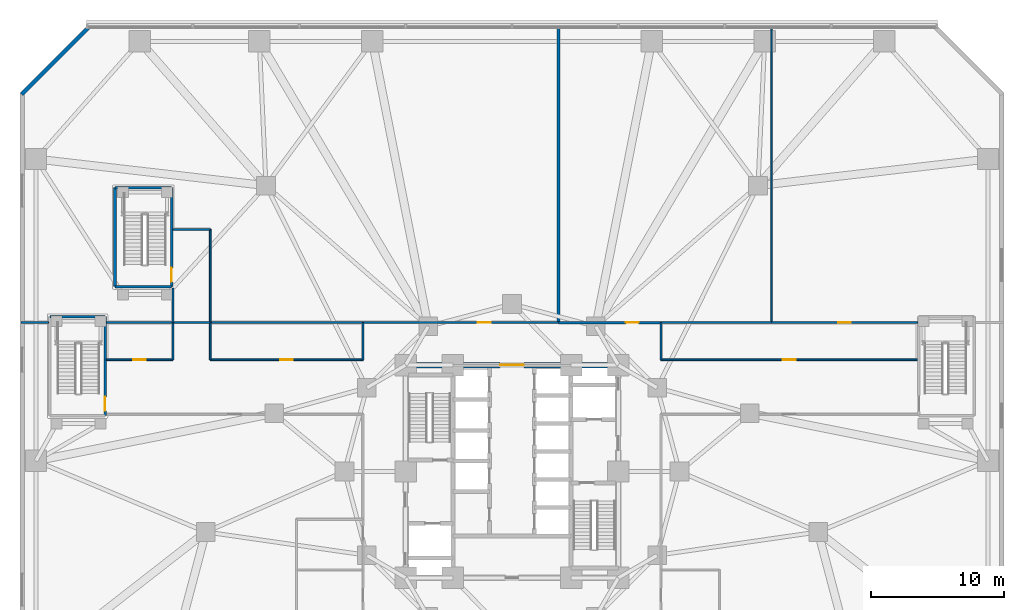
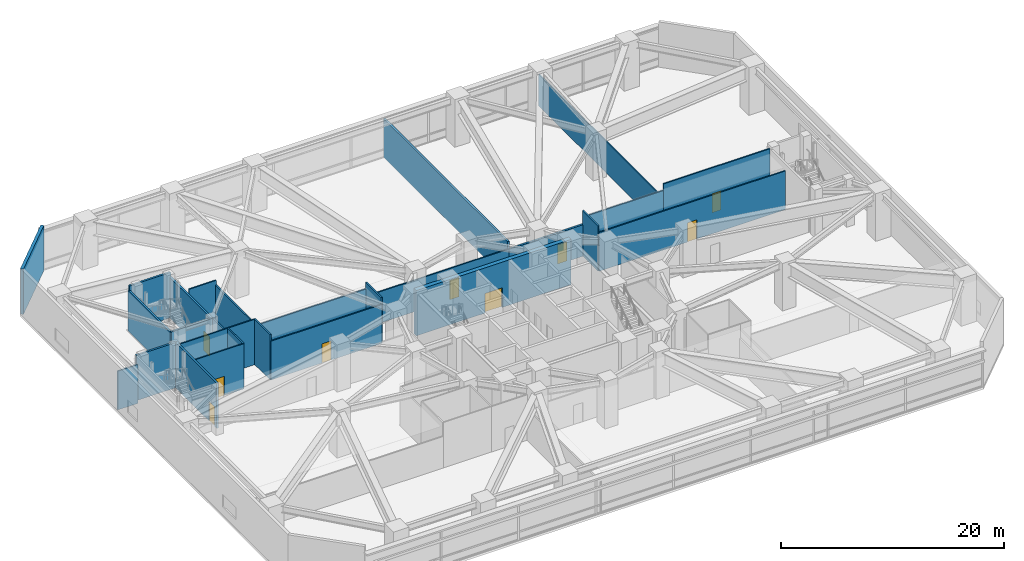
# One storey, part 17 of 27: 28 walls, 9 doors, 9 openings.
"""IFC4 building model written with IfcOpenShell, lengths in metres."""

import ifcopenshell
import ifcopenshell.guid

model = None  # the IFC model being written
_history = None  # IfcOwnerHistory: only IFC2X3 demands one
_inside = {}  # id of a spatial element -> (the spatial element, [elements in it])
_under = {}  # id of a project, library or spatial element -> (it, [spatial elements below it])
_declared = {}  # id of a project -> (the project, [libraries it declares])
_typed = {}  # id of a type object -> (the type object, [elements of that type])
_made_of = {}  # id of a material, layer set ... -> (it, [elements and type objects made of it])


def new_model(schema):
    """Start an empty IFC model of exactly this schema.

    Asked for "IFC4X3", IfcOpenShell would pick the latest addendum, in which some entities
    have other attributes; the version numbers below select the first issue.
    IFC2X3 requires an IfcOwnerHistory on every rooted entity: one is made here for all.
    """
    global model, _history
    if schema == "IFC4X3":
        model = ifcopenshell.file(schema_version=(4, 3, 0, 0))
    else:
        model = ifcopenshell.file(schema=schema)
    _inside.clear()
    _under.clear()
    _declared.clear()
    _typed.clear()
    _made_of.clear()
    _history = None
    if model.schema == "IFC2X3":
        org = make("IfcOrganization", Name="unknown")
        user = make(
            "IfcPersonAndOrganization",
            ThePerson=make("IfcPerson", FamilyName="unknown"),
            TheOrganization=org,
        )
        app = make(
            "IfcApplication",
            ApplicationDeveloper=org,
            Version="unknown",
            ApplicationFullName="unknown",
            ApplicationIdentifier="unknown",
        )
        _history = make(
            "IfcOwnerHistory",
            OwningUser=user,
            OwningApplication=app,
            ChangeAction="ADDED",
            CreationDate=0,
        )
    return model


def make(cls, **values):
    """One entity of the class cls with the attributes given. An attribute that is None is left unset."""
    return model.create_entity(
        cls, **{name: value for name, value in values.items() if value is not None}
    )


def rooted(cls, **values):
    """An entity with a GlobalId (a new one), such as an element, a storey or a relation."""
    return make(cls, GlobalId=ifcopenshell.guid.new(), OwnerHistory=_history, **values)


def si_unit(unit_type, name, prefix=None):
    """IfcSIUnit, for example si_unit("LENGTHUNIT", "METRE", prefix="MILLI")."""
    return make("IfcSIUnit", UnitType=unit_type, Prefix=prefix, Name=name)


def assignment(units):
    """IfcUnitAssignment: the units of a project."""
    return None if units is None else make("IfcUnitAssignment", Units=units)


def point(xyz):
    """IfcCartesianPoint."""
    return None if xyz is None else make("IfcCartesianPoint", Coordinates=xyz)


def direction(xyz):
    """IfcDirection."""
    return None if xyz is None else make("IfcDirection", DirectionRatios=xyz)


def frame(location, z_axis=None, x_axis=None):
    """IfcAxis2Placement3D, a coordinate frame: its origin and axes. An axis left out is left unset."""
    return make(
        "IfcAxis2Placement3D",
        Location=point(location),
        Axis=direction(z_axis),
        RefDirection=direction(x_axis),
    )


def frame_2d(location, x_axis=None):
    """IfcAxis2Placement2D, a coordinate frame in the plane: its origin and x axis."""
    return make(
        "IfcAxis2Placement2D", Location=point(location), RefDirection=direction(x_axis)
    )


def origin():
    """The frame at (0, 0, 0) with its axes left unset."""
    return frame((0.0, 0.0, 0.0))


def place(relative_to, where):
    """IfcLocalPlacement: puts the frame where relative to a parent placement (None: the world)."""
    return make(
        "IfcLocalPlacement", PlacementRelTo=relative_to, RelativePlacement=where
    )


def context(
    kind, dimensions, precision=None, world=None, true_north=None, identifier=None
):
    """IfcGeometricRepresentationContext, for example the 3D "Model" context."""
    return make(
        "IfcGeometricRepresentationContext",
        ContextIdentifier=identifier,
        ContextType=kind,
        CoordinateSpaceDimension=dimensions,
        Precision=precision,
        WorldCoordinateSystem=world,
        TrueNorth=true_north,
    )


def subcontext(parent, identifier, kind, view, scale=None):
    """IfcGeometricRepresentationSubContext, for example "Body" below "Model"."""
    return make(
        "IfcGeometricRepresentationSubContext",
        ContextIdentifier=identifier,
        ContextType=kind,
        ParentContext=parent,
        TargetScale=scale,
        TargetView=view,
    )


def project(units=None, contexts=None):
    """IfcProject with its units and contexts."""
    return rooted(
        "IfcProject",
        Name="project",
        RepresentationContexts=contexts,
        UnitsInContext=assignment(units),
    )


def spatial(cls, under=None, at=None, **own):
    """A site, building, storey or space (cls), placed at a placement, below another one or the project."""
    s = rooted(cls, ObjectPlacement=at, **own)
    if under is not None:
        _under.setdefault(under.id(), (under, []))[1].append(s)
    return s


def profile(cls, at=None, kind="AREA", **sizes):
    """A parametric profile (cls). Its sizes go by their IFC names, for example OverallWidth=200.0."""
    return make(cls, ProfileType=kind, Position=at, **sizes)


def rectangle(**sizes):
    """IfcRectangleProfileDef."""
    return profile("IfcRectangleProfileDef", **sizes)


def extrude(swept, where, along, depth):
    """IfcExtrudedAreaSolid: the profile swept, set in the frame where, extruded along a direction by depth."""
    return make(
        "IfcExtrudedAreaSolid",
        SweptArea=swept,
        Position=where,
        ExtrudedDirection=direction(along),
        Depth=depth,
    )


def shape(context_of_items, identifier, shape_type, items):
    """IfcShapeRepresentation: the items that make up one representation, for example the "Body"."""
    return make(
        "IfcShapeRepresentation",
        ContextOfItems=context_of_items,
        RepresentationIdentifier=identifier,
        RepresentationType=shape_type,
        Items=items,
    )


def material(Name=None, Category=None):
    """IfcMaterial."""
    return make("IfcMaterial", Name=Name, Category=Category)


def layer(
    of_material, thickness, ventilated=None, Name=None, Category=None, Priority=None
):
    """IfcMaterialLayer: one layer of a wall or slab, of a material (None: an air gap)."""
    return make(
        "IfcMaterialLayer",
        Material=of_material,
        LayerThickness=thickness,
        IsVentilated=ventilated,
        Name=Name,
        Category=Category,
        Priority=Priority,
    )


def layer_set(layers, Name=None):
    """IfcMaterialLayerSet."""
    return make("IfcMaterialLayerSet", MaterialLayers=layers, LayerSetName=Name)


def made_of(thing, what):
    """Note that an element or type object is made of a material, layer set ...; save() writes the relation."""
    if what is not None:
        _made_of.setdefault(what.id(), (what, []))[1].append(thing)
    return thing


def type_object(cls, material=None, **own):
    """A type object (cls), such as IfcWallType, which elements share."""
    return made_of(rooted(cls, **own), material)


def element(
    cls,
    number,
    at=None,
    inside=None,
    cuts=None,
    type_object=None,
    material=None,
    context=None,
    identifier="Body",
    shape_type=None,
    held_by="IfcProductDefinitionShape",
    body=None,
    shapes=None,
    **own,
):
    """One element of the class cls, such as IfcWall. Its Tag is "e" and its number.

    at: its placement. inside: the storey or other place that contains it. cuts: it is an
    opening in that element (IfcRelVoidsElement). A single representation is given by context,
    identifier, shape_type and body (its items); several are given by shapes. held_by: the class
    of the entity that holds the representations. save() writes the other relations.
    """
    e = rooted(cls, Tag="e%d" % number, ObjectPlacement=at, **own)
    if body is not None:
        shapes = [shape(context, identifier, shape_type, body)]
    if shapes is not None:
        e.Representation = make(held_by, Representations=shapes)
    if inside is not None:
        _inside.setdefault(inside.id(), (inside, []))[1].append(e)
    if cuts is not None:
        rooted(
            "IfcRelVoidsElement", RelatingBuildingElement=cuts, RelatedOpeningElement=e
        )
    if type_object is not None:
        _typed.setdefault(type_object.id(), (type_object, []))[1].append(e)
    return made_of(e, material)


def fill(opening, filler):
    """IfcRelFillsElement: the door or window that sits in an opening."""
    return rooted(
        "IfcRelFillsElement",
        RelatingOpeningElement=opening,
        RelatedBuildingElement=filler,
    )


def aggregate(whole, parts):
    """IfcRelAggregates: a whole, such as a stair, and the parts it consists of."""
    return rooted("IfcRelAggregates", RelatingObject=whole, RelatedObjects=parts)


def save(model, path):
    """Write the relations noted so far, then the file.

    IfcRelAggregates (storeys below a building ...), IfcRelContainedInSpatialStructure (elements
    in a storey), IfcRelDefinesByType, IfcRelAssociatesMaterial and IfcRelDeclares: one each for
    every whole, place, type object, material and project.
    """
    for whole, parts in _under.values():
        aggregate(whole, parts)
    for where, things in _inside.values():
        rooted(
            "IfcRelContainedInSpatialStructure",
            RelatedElements=things,
            RelatingStructure=where,
        )
    for kind, things in _typed.values():
        rooted("IfcRelDefinesByType", RelatedObjects=things, RelatingType=kind)
    for what, things in _made_of.values():
        rooted("IfcRelAssociatesMaterial", RelatedObjects=things, RelatingMaterial=what)
    for by, libraries in _declared.values():
        rooted("IfcRelDeclares", RelatingContext=by, RelatedDefinitions=libraries)
    model.write(path)


model = new_model("IFC4")

# Units and contexts
model_context = context("Model", 3, precision=1e-05, world=origin(), true_north=direction((0.0, 1.0)))
body_context = subcontext(model_context, "Body", "Model", "MODEL_VIEW")
ifc_project = project(units=[si_unit("LENGTHUNIT", "METRE"), si_unit("AREAUNIT", "SQUARE_METRE"), si_unit("VOLUMEUNIT", "CUBIC_METRE"), si_unit("PLANEANGLEUNIT", "RADIAN"), si_unit("MASSUNIT", "GRAM", prefix="KILO")], contexts=[model_context])

# Site, building, storey
site_placement = place(None, origin())
site = spatial("IfcSite", under=ifc_project, at=site_placement, CompositionType="ELEMENT")
building_placement = place(site_placement, origin())
building = spatial("IfcBuilding", under=site, at=building_placement, Name="Terralouvre Media Tower", CompositionType="ELEMENT")
storey_placement = place(building_placement, frame((0.0, 0.0, 15.60009765625)))
storey = spatial("IfcBuildingStorey", under=building, at=storey_placement, Name="L03", CompositionType="ELEMENT", Elevation=15.60009765625)

# Wall, opening, door
ifc_material_1 = material(Name="Concrete C60/75", Category="concrete")
ifc_layer_1 = layer(ifc_material_1, 0.419921875, Name="Core Reinforced Concrete Shear Wall CW-420")
ifc_layer_set_1 = layer_set([ifc_layer_1], Name="Concrete C60/75")
wall_type_1 = type_object("IfcWallType", Name="Core Reinforced Concrete Shear Wall CW-420", PredefinedType="SHEAR", material=ifc_layer_set_1)
wall_1_placement = place(storey_placement, frame((-8.0, 8.0, 0.0), z_axis=(0.0, 0.0, 1.0), x_axis=(1.0, 0.0, 0.0)))
wall_1 = element("IfcWall", 1, at=wall_1_placement, inside=storey, type_object=wall_type_1, Name="L03 N Core Shear Wall", PredefinedType="SHEAR", context=body_context, shape_type="SweptSolid", body=[
    extrude(rectangle(XDim=16.0, YDim=0.419921875, at=frame_2d((8.0, 0.0))), origin(), (0.0, 0.0, 1.0), 4.949951171875),
])
opening_1_placement = place(wall_1_placement, frame((7.10009765625, 0.0, 0.0)))
opening_1 = element("IfcOpeningElement", 2, at=opening_1_placement, cuts=wall_1, Name="Opening FD-03", PredefinedType="OPENING", context=body_context, shape_type="SweptSolid", body=[
    extrude(rectangle(XDim=1.800048828125, YDim=2.14990234375, at=frame_2d((0.89990234375, 1.074951171875))), frame((0.0, 0.219970703125, 0.0), z_axis=(0.0, -1.0, 0.0), x_axis=(1.0, 0.0, 0.0)), (0.0, 0.0, 1.0), 0.43994140625),
])
ifc_material_2 = material(Name="Galvanised steel fire-resisting leaf", Category="steel")
door_type_1 = type_object("IfcDoorType", Name="Corridor Smoke-Control Double Door FD-03", OperationType="DOUBLE_DOOR_SINGLE_SWING", PredefinedType="DOOR", material=ifc_material_2)
door_1_placement = place(opening_1_placement, origin())
door_1 = element("IfcDoor", 3, at=door_1_placement, inside=storey, type_object=door_type_1, Name="L03 Central Lift Lobby Portal Door", OperationType="DOUBLE_DOOR_SINGLE_SWING", OverallHeight=2.14990234375, OverallWidth=1.800048828125, PredefinedType="DOOR", context=body_context, shape_type="SweptSolid", body=[
    extrude(rectangle(XDim=1.800048828125, YDim=2.14990234375, at=frame_2d((0.89990234375, 1.074951171875))), frame((0.0, 0.02490234375, 0.0), z_axis=(0.0, -1.0, 0.0), x_axis=(1.0, 0.0, 0.0)), (0.0, 0.0, 1.0), 0.050048828125),
])
fill(opening_1, door_1)

ifc_material_3 = material(Name="Fire-rated gypsum board drywall partition")
ifc_layer_2 = layer(ifc_material_3, 0.199951171875, Name="Fire-Rated Shaft and Lobby Partition FW-200")
ifc_layer_set_2 = layer_set([ifc_layer_2], Name="Fire-rated gypsum board drywall partition")
wall_type_2 = type_object("IfcWallType", Name="Fire-Rated Shaft and Lobby Partition FW-200", PredefinedType="SOLIDWALL", material=ifc_layer_set_2)
wall_2_placement = place(storey_placement, frame((-30.60009765625, 4.199951171875, 0.0), z_axis=(0.0, 0.0, 1.0), x_axis=(0.0, 1.0, 0.0)))
wall_2 = element("IfcWall", 4, at=wall_2_placement, inside=storey, type_object=wall_type_2, Name="L03 ST03 Stair Shaft Wall E", PredefinedType="SOLIDWALL", context=body_context, shape_type="SweptSolid", body=[
    extrude(rectangle(XDim=7.449951171875, YDim=0.199951171875, at=frame_2d((3.72509765625, 0.0))), origin(), (0.0, 0.0, 1.0), 4.949951171875),
])
opening_2_placement = place(wall_2_placement, frame((0.360107421875, 0.0, 0.0)))
opening_2 = element("IfcOpeningElement", 5, at=opening_2_placement, cuts=wall_2, Name="Opening FD-01-105X215", PredefinedType="OPENING", context=body_context, shape_type="SweptSolid", body=[
    extrude(rectangle(XDim=1.050048828125, YDim=2.14990234375, at=frame_2d((0.52490234375, 1.074951171875))), frame((0.0, 0.10986328125, 0.0), z_axis=(0.0, -1.0, 0.0), x_axis=(1.0, 0.0, 0.0)), (0.0, 0.0, 1.0), 0.219970703125),
])
ifc_material_4 = material(Name="Galvanised steel fire-resisting leaf", Category="steel")
door_type_2 = type_object("IfcDoorType", Name="Stair and Firefighting Lobby Fire Door FD-01 (1050x2150)", OperationType="NOTDEFINED", PredefinedType="DOOR", material=ifc_material_4)
door_2_placement = place(opening_2_placement, origin())
door_2 = element("IfcDoor", 6, at=door_2_placement, inside=storey, type_object=door_type_2, Name="L03 ST03 Pressurised Stair Door", OperationType="SINGLE_SWING_RIGHT", OverallHeight=2.14990234375, OverallWidth=1.050048828125, PredefinedType="DOOR", context=body_context, shape_type="SweptSolid", body=[
    extrude(rectangle(XDim=1.050048828125, YDim=2.14990234375, at=frame_2d((0.52490234375, 1.074951171875))), frame((0.0, 0.02490234375, 0.0), z_axis=(0.0, -1.0, 0.0), x_axis=(1.0, 0.0, 0.0)), (0.0, 0.0, 1.0), 0.050048828125),
])
fill(opening_2, door_2)

# Walls
wall_3_placement = place(storey_placement, frame((-30.60009765625, 11.64990234375, 0.0), z_axis=(0.0, 0.0, 1.0), x_axis=(-1.0, 0.0, 0.0)))
element("IfcWall", 7, at=wall_3_placement, inside=storey, type_object=wall_type_2, Name="L03 ST03 Stair Shaft Wall N", PredefinedType="SOLIDWALL", context=body_context, shape_type="SweptSolid", body=[
    extrude(rectangle(XDim=4.14990234375, YDim=0.199951171875, at=frame_2d((2.074951171875, 0.0))), origin(), (0.0, 0.0, 1.0), 4.949951171875),
])
wall_4_placement = place(storey_placement, frame((-29.85009765625, 13.89990234375, 0.0), z_axis=(0.0, 0.0, 1.0), x_axis=(1.0, 0.0, 0.0)))
element("IfcWall", 8, at=wall_4_placement, inside=storey, type_object=wall_type_2, Name="L03 ST06 Stair Shaft Wall S", PredefinedType="SOLIDWALL", context=body_context, shape_type="SweptSolid", body=[
    extrude(rectangle(XDim=4.25, YDim=0.199951171875, at=frame_2d((2.125, 0.0))), origin(), (0.0, 0.0, 1.0), 4.434814453125),
])

# Wall, opening, door
wall_5_placement = place(storey_placement, frame((-25.60009765625, 13.89990234375, 0.0), z_axis=(0.0, 0.0, 1.0), x_axis=(0.0, 1.0, 0.0)))
wall_5 = element("IfcWall", 9, at=wall_5_placement, inside=storey, type_object=wall_type_2, Name="L03 ST06 Stair Shaft Wall E", PredefinedType="SOLIDWALL", context=body_context, shape_type="SweptSolid", body=[
    extrude(rectangle(XDim=7.4501953125, YDim=0.199951171875, at=frame_2d((3.72509765625, 0.0))), origin(), (0.0, 0.0, 1.0), 4.434814453125),
])
opening_3_placement = place(wall_5_placement, frame((0.360107421875, 0.0, 0.0)))
opening_3 = element("IfcOpeningElement", 10, at=opening_3_placement, cuts=wall_5, Name="Opening FD-01-105X215", PredefinedType="OPENING", context=body_context, shape_type="SweptSolid", body=[
    extrude(rectangle(XDim=1.050048828125, YDim=2.14990234375, at=frame_2d((0.52490234375, 1.074951171875))), frame((0.0, 0.10986328125, 0.0), z_axis=(0.0, -1.0, 0.0), x_axis=(1.0, 0.0, 0.0)), (0.0, 0.0, 1.0), 0.219970703125),
])
door_3_placement = place(opening_3_placement, origin())
door_3 = element("IfcDoor", 11, at=door_3_placement, inside=storey, type_object=door_type_2, Name="L03 ST06 Pressurised Stair Door", OperationType="SINGLE_SWING_RIGHT", OverallHeight=2.14990234375, OverallWidth=1.050048828125, PredefinedType="DOOR", context=body_context, shape_type="SweptSolid", body=[
    extrude(rectangle(XDim=1.050048828125, YDim=2.14990234375, at=frame_2d((0.52490234375, 1.074951171875))), frame((0.0, 0.02490234375, 0.0), z_axis=(0.0, -1.0, 0.0), x_axis=(1.0, 0.0, 0.0)), (0.0, 0.0, 1.0), 0.050048828125),
])
fill(opening_3, door_3)

# Walls
wall_6_placement = place(storey_placement, frame((-25.60009765625, 21.35009765625, 0.0), z_axis=(0.0, 0.0, 1.0), x_axis=(-1.0, 0.0, 0.0)))
element("IfcWall", 12, at=wall_6_placement, inside=storey, type_object=wall_type_2, Name="L03 ST06 Stair Shaft Wall N", PredefinedType="SOLIDWALL", context=body_context, shape_type="SweptSolid", body=[
    extrude(rectangle(XDim=4.25, YDim=0.199951171875, at=frame_2d((2.125, 0.0))), origin(), (0.0, 0.0, 1.0), 4.949951171875),
])
wall_7_placement = place(storey_placement, frame((-29.85009765625, 21.35009765625, 0.0), z_axis=(0.0, 0.0, 1.0), x_axis=(0.0, -1.0, 0.0)))
element("IfcWall", 13, at=wall_7_placement, inside=storey, type_object=wall_type_2, Name="L03 ST06 Stair Shaft Wall W", PredefinedType="SOLIDWALL", context=body_context, shape_type="SweptSolid", body=[
    extrude(rectangle(XDim=7.4501953125, YDim=0.199951171875, at=frame_2d((3.72509765625, 0.0))), origin(), (0.0, 0.0, 1.0), 4.434814453125),
])

# Wall, opening, door
wall_8_placement = place(storey_placement, frame((11.199951171875, 11.199951171875, 0.0), z_axis=(0.0, 0.0, 1.0), x_axis=(-1.0, 0.0, 0.0)))
wall_8 = element("IfcWall", 14, at=wall_8_placement, inside=storey, type_object=wall_type_2, Name="L03 Interior Partition 013", PredefinedType="SOLIDWALL", context=body_context, shape_type="SweptSolid", body=[
    extrude(rectangle(XDim=7.699951171875, YDim=0.199951171875, at=frame_2d((3.85009765625, 0.0))), origin(), (0.0, 0.0, 1.0), 3.434814453125),
])
opening_4_placement = place(wall_8_placement, frame((1.680908203125, 0.0, 0.0)))
opening_4 = element("IfcOpeningElement", 15, at=opening_4_placement, cuts=wall_8, Name="Opening FD-02-95X210", PredefinedType="OPENING", context=body_context, shape_type="SweptSolid", body=[
    extrude(rectangle(XDim=0.949951171875, YDim=2.10009765625, at=frame_2d((0.47509765625, 1.050048828125))), frame((0.0, 0.10986328125, 0.0), z_axis=(0.0, -1.0, 0.0), x_axis=(1.0, 0.0, 0.0)), (0.0, 0.0, 1.0), 0.219970703125),
])
ifc_material_5 = material(Name="Galvanised steel fire-resisting leaf", Category="steel")
door_type_3 = type_object("IfcDoorType", Name="Plant and Riser Fire Door FD-02 (950x2100)", OperationType="NOTDEFINED", PredefinedType="DOOR", material=ifc_material_5)
door_4_placement = place(opening_4_placement, origin())
door_4 = element("IfcDoor", 16, at=door_4_placement, inside=storey, type_object=door_type_3, Name="L03 L03 Audio Rack Plant Room 8 Door", OperationType="SINGLE_SWING_RIGHT", OverallHeight=2.10009765625, OverallWidth=0.949951171875, PredefinedType="DOOR", context=body_context, shape_type="SweptSolid", body=[
    extrude(rectangle(XDim=0.949951171875, YDim=2.10009765625, at=frame_2d((0.47509765625, 1.050048828125))), frame((0.0, 0.02490234375, 0.0), z_axis=(0.0, -1.0, 0.0), x_axis=(1.0, 0.0, 0.0)), (0.0, 0.0, 1.0), 0.050048828125),
])
fill(opening_4, door_4)

# Walls
wall_9_placement = place(storey_placement, frame((3.5, 33.419921875, 0.0), z_axis=(0.0, 0.0, 1.0), x_axis=(0.0, -1.0, 0.0)))
element("IfcWall", 17, at=wall_9_placement, inside=storey, type_object=wall_type_2, Name="L03 Interior Partition 041", PredefinedType="SOLIDWALL", context=body_context, shape_type="SweptSolid", body=[
    extrude(rectangle(XDim=22.219970703125, YDim=0.199951171875, at=frame_2d((11.10986328125, 0.0))), origin(), (0.0, 0.0, 1.0), 4.23486328125),
])
ifc_material_6 = material(Name="Fire-rated gypsum board drywall partition")
ifc_layer_3 = layer(ifc_material_6, 0.135009765625, Name="Newsroom Acoustic Partition PT-135")
ifc_layer_set_3 = layer_set([ifc_layer_3], Name="Fire-rated gypsum board drywall partition")
wall_type_3 = type_object("IfcWallType", Name="Newsroom Acoustic Partition PT-135", PredefinedType="PARTITIONING", material=ifc_layer_set_3)
wall_10_placement = place(storey_placement, frame((-22.699951171875, 11.199951171875, 0.0), z_axis=(0.0, 0.0, 1.0), x_axis=(-1.0, 0.0, 0.0)))
element("IfcWall", 18, at=wall_10_placement, inside=storey, type_object=wall_type_3, Name="L03 Interior Partition 001", PredefinedType="PARTITIONING", context=body_context, shape_type="SweptSolid", body=[
    extrude(rectangle(XDim=2.800048828125, YDim=0.135009765625, at=frame_2d((1.39990234375, 0.0))), origin(), (0.0, 0.0, 1.0), 4.949951171875),
])

# Wall, opening, door
wall_11_placement = place(storey_placement, frame((30.5, 8.39990234375, 0.0), z_axis=(0.0, 0.0, 1.0), x_axis=(-1.0, 0.0, 0.0)))
wall_11 = element("IfcWall", 19, at=wall_11_placement, inside=storey, type_object=wall_type_3, Name="L03 Interior Partition 011", PredefinedType="PARTITIONING", context=body_context, shape_type="SweptSolid", body=[
    extrude(rectangle(XDim=19.300048828125, YDim=0.135009765625, at=frame_2d((9.64990234375, 0.0))), origin(), (0.0, 0.0, 1.0), 4.23486328125),
])
opening_5_placement = place(wall_11_placement, frame((9.175048828125, 0.0, 0.0)))
opening_5 = element("IfcOpeningElement", 20, at=opening_5_placement, cuts=wall_11, Name="Opening ID-02-95X210", PredefinedType="OPENING", context=body_context, shape_type="SweptSolid", body=[
    extrude(rectangle(XDim=0.949951171875, YDim=2.10009765625, at=frame_2d((0.47509765625, 1.050048828125))), frame((0.0, 0.077392578125, 0.0), z_axis=(0.0, -1.0, 0.0), x_axis=(1.0, 0.0, 0.0)), (0.0, 0.0, 1.0), 0.155029296875),
])
ifc_material_7 = material(Name="Engineered hardwood acoustic timber leaf", Category="wood")
door_type_4 = type_object("IfcDoorType", Name="Office and Meeting Room Door ID-02 (950x2100)", OperationType="NOTDEFINED", PredefinedType="DOOR", material=ifc_material_7)
door_5_placement = place(opening_5_placement, origin())
door_5 = element("IfcDoor", 21, at=door_5_placement, inside=storey, type_object=door_type_4, Name="L03 L03 VIP Green Room Lounge 6 Door", OperationType="SINGLE_SWING_LEFT", OverallHeight=2.10009765625, OverallWidth=0.949951171875, PredefinedType="DOOR", context=body_context, shape_type="SweptSolid", body=[
    extrude(rectangle(XDim=0.949951171875, YDim=2.10009765625, at=frame_2d((0.47509765625, 1.050048828125))), frame((0.0, 0.02490234375, 0.0), z_axis=(0.0, -1.0, 0.0), x_axis=(1.0, 0.0, 0.0)), (0.0, 0.0, 1.0), 0.050048828125),
])
fill(opening_5, door_5)

# Wall
wall_12_placement = place(storey_placement, frame((11.199951171875, 8.39990234375, 0.0), z_axis=(0.0, 0.0, 1.0), x_axis=(0.0, 1.0, 0.0)))
element("IfcWall", 22, at=wall_12_placement, inside=storey, type_object=wall_type_3, Name="L03 Interior Partition 012", PredefinedType="PARTITIONING", context=body_context, shape_type="SweptSolid", body=[
    extrude(rectangle(XDim=2.800048828125, YDim=0.135009765625, at=frame_2d((1.39990234375, 0.0))), origin(), (0.0, 0.0, 1.0), 4.949951171875),
])

# Wall, opening, door
wall_13_placement = place(storey_placement, frame((3.5, 11.199951171875, 0.0), z_axis=(0.0, 0.0, 1.0), x_axis=(-1.0, 0.0, 0.0)))
wall_13 = element("IfcWall", 23, at=wall_13_placement, inside=storey, type_object=wall_type_3, Name="L03 Interior Partition 014", PredefinedType="PARTITIONING", context=body_context, shape_type="SweptSolid", body=[
    extrude(rectangle(XDim=14.699951171875, YDim=0.135009765625, at=frame_2d((7.35009765625, 0.0))), origin(), (0.0, 0.0, 1.0), 3.434814453125),
])
opening_6_placement = place(wall_13_placement, frame((5.111083984375, 0.0, 0.0)))
opening_6 = element("IfcOpeningElement", 24, at=opening_6_placement, cuts=wall_13, Name="Opening ID-02-95X210", PredefinedType="OPENING", context=body_context, shape_type="SweptSolid", body=[
    extrude(rectangle(XDim=0.949951171875, YDim=2.10009765625, at=frame_2d((0.47509765625, 1.050048828125))), frame((0.0, 0.077392578125, 0.0), z_axis=(0.0, -1.0, 0.0), x_axis=(1.0, 0.0, 0.0)), (0.0, 0.0, 1.0), 0.155029296875),
])
door_6_placement = place(opening_6_placement, origin())
door_6 = element("IfcDoor", 25, at=door_6_placement, inside=storey, type_object=door_type_4, Name="L03 L03 National Radio Concert Theatre 9 Door", OperationType="SINGLE_SWING_LEFT", OverallHeight=2.10009765625, OverallWidth=0.949951171875, PredefinedType="DOOR", context=body_context, shape_type="SweptSolid", body=[
    extrude(rectangle(XDim=0.949951171875, YDim=2.10009765625, at=frame_2d((0.47509765625, 1.050048828125))), frame((0.0, 0.02490234375, 0.0), z_axis=(0.0, -1.0, 0.0), x_axis=(1.0, 0.0, 0.0)), (0.0, 0.0, 1.0), 0.050048828125),
])
fill(opening_6, door_6)

# Wall
wall_14_placement = place(storey_placement, frame((-11.199951171875, 11.199951171875, 0.0), z_axis=(0.0, 0.0, 1.0), x_axis=(0.0, -1.0, 0.0)))
element("IfcWall", 26, at=wall_14_placement, inside=storey, type_object=wall_type_3, Name="L03 Interior Partition 015", PredefinedType="PARTITIONING", context=body_context, shape_type="SweptSolid", body=[
    extrude(rectangle(XDim=2.800048828125, YDim=0.135009765625, at=frame_2d((1.39990234375, 0.0))), origin(), (0.0, 0.0, 1.0), 4.949951171875),
])

# Wall, opening, door
wall_15_placement = place(storey_placement, frame((-11.199951171875, 8.39990234375, 0.0), z_axis=(0.0, 0.0, 1.0), x_axis=(-1.0, 0.0, 0.0)))
wall_15 = element("IfcWall", 27, at=wall_15_placement, inside=storey, type_object=wall_type_3, Name="L03 Interior Partition 016", PredefinedType="PARTITIONING", context=body_context, shape_type="SweptSolid", body=[
    extrude(rectangle(XDim=11.5, YDim=0.135009765625, at=frame_2d((5.75, 0.0))), origin(), (0.0, 0.0, 1.0), 4.23486328125),
])
opening_7_placement = place(wall_15_placement, frame((5.27490234375, 0.0, 0.0)))
opening_7 = element("IfcOpeningElement", 28, at=opening_7_placement, cuts=wall_15, Name="Opening ID-02-95X210", PredefinedType="OPENING", context=body_context, shape_type="SweptSolid", body=[
    extrude(rectangle(XDim=0.949951171875, YDim=2.10009765625, at=frame_2d((0.47509765625, 1.050048828125))), frame((0.0, 0.077392578125, 0.0), z_axis=(0.0, -1.0, 0.0), x_axis=(1.0, 0.0, 0.0)), (0.0, 0.0, 1.0), 0.155029296875),
])
door_7_placement = place(opening_7_placement, origin())
door_7 = element("IfcDoor", 29, at=door_7_placement, inside=storey, type_object=door_type_4, Name="L03 L03 Podcast Production Open Office 10 Door", OperationType="SINGLE_SWING_RIGHT", OverallHeight=2.10009765625, OverallWidth=0.949951171875, PredefinedType="DOOR", context=body_context, shape_type="SweptSolid", body=[
    extrude(rectangle(XDim=0.949951171875, YDim=2.10009765625, at=frame_2d((0.47509765625, 1.050048828125))), frame((0.0, 0.02490234375, 0.0), z_axis=(0.0, -1.0, 0.0), x_axis=(1.0, 0.0, 0.0)), (0.0, 0.0, 1.0), 0.050048828125),
])
fill(opening_7, door_7)

# Walls
for number, where, z_axis, x_axis, name in (
    (30, (-22.699951171875, 8.39990234375, 0.0), (0.0, 0.0, 1.0), (0.0, 1.0, 0.0), "L03 Interior Partition 017"),
    (31, (-25.5, 11.199951171875, 0.0), (0.0, 0.0, 1.0), (0.0, -1.0, 0.0), "L03 Interior Partition 018"),
):
    element("IfcWall", number, at=place(storey_placement, frame(where, z_axis=z_axis, x_axis=x_axis)), inside=storey, type_object=wall_type_3, Name=name, PredefinedType="PARTITIONING", context=body_context, shape_type="SweptSolid", body=[
        extrude(rectangle(XDim=2.800048828125, YDim=0.135009765625, at=frame_2d((1.39990234375, 0.0))), origin(), (0.0, 0.0, 1.0), 4.949951171875),
    ])

# Wall, opening, door
wall_16_placement = place(storey_placement, frame((-25.5, 8.39990234375, 0.0), z_axis=(0.0, 0.0, 1.0), x_axis=(-1.0, 0.0, 0.0)))
wall_16 = element("IfcWall", 32, at=wall_16_placement, inside=storey, type_object=wall_type_3, Name="L03 Interior Partition 019", PredefinedType="PARTITIONING", context=body_context, shape_type="SweptSolid", body=[
    extrude(rectangle(XDim=5.0, YDim=0.135009765625, at=frame_2d((2.5, 0.0))), origin(), (0.0, 0.0, 1.0), 4.949951171875),
])
opening_8_placement = place(wall_16_placement, frame((2.02490234375, 0.0, 0.0)))
opening_8 = element("IfcOpeningElement", 33, at=opening_8_placement, cuts=wall_16, Name="Opening ID-02-95X210", PredefinedType="OPENING", context=body_context, shape_type="SweptSolid", body=[
    extrude(rectangle(XDim=0.949951171875, YDim=2.10009765625, at=frame_2d((0.47509765625, 1.050048828125))), frame((0.0, 0.077392578125, 0.0), z_axis=(0.0, -1.0, 0.0), x_axis=(1.0, 0.0, 0.0)), (0.0, 0.0, 1.0), 0.155029296875),
])
door_8_placement = place(opening_8_placement, origin())
door_8 = element("IfcDoor", 34, at=door_8_placement, inside=storey, type_object=door_type_4, Name="L03 L03 Press Conference Auditorium 11 Door", OperationType="SINGLE_SWING_LEFT", OverallHeight=2.10009765625, OverallWidth=0.949951171875, PredefinedType="DOOR", context=body_context, shape_type="SweptSolid", body=[
    extrude(rectangle(XDim=0.949951171875, YDim=2.10009765625, at=frame_2d((0.47509765625, 1.050048828125))), frame((0.0, 0.02490234375, 0.0), z_axis=(0.0, -1.0, 0.0), x_axis=(1.0, 0.0, 0.0)), (0.0, 0.0, 1.0), 0.050048828125),
])
fill(opening_8, door_8)

# Walls
wall_17_placement = place(storey_placement, frame((-25.5, 13.800048828125, 0.0), z_axis=(0.0, 0.0, 1.0), x_axis=(0.0, -1.0, 0.0)))
element("IfcWall", 35, at=wall_17_placement, inside=storey, type_object=wall_type_3, Name="L03 Interior Partition 020", PredefinedType="PARTITIONING", context=body_context, shape_type="SweptSolid", body=[
    extrude(rectangle(XDim=2.60009765625, YDim=0.135009765625, at=frame_2d((1.300048828125, 0.0))), origin(), (0.0, 0.0, 1.0), 4.434814453125),
])
wall_18_placement = place(storey_placement, frame((-22.699951171875, 11.199951171875, 0.0), z_axis=(0.0, 0.0, 1.0), x_axis=(0.0, 1.0, 0.0)))
element("IfcWall", 36, at=wall_18_placement, inside=storey, type_object=wall_type_3, Name="L03 Interior Partition 021", PredefinedType="PARTITIONING", context=body_context, shape_type="SweptSolid", body=[
    extrude(rectangle(XDim=7.0, YDim=0.135009765625, at=frame_2d((3.5, 0.0))), origin(), (0.0, 0.0, 1.0), 4.434814453125),
])
wall_19_placement = place(storey_placement, frame((-22.699951171875, 18.199951171875, 0.0), z_axis=(0.0, 0.0, 1.0), x_axis=(-1.0, 0.0, 0.0)))
element("IfcWall", 37, at=wall_19_placement, inside=storey, type_object=wall_type_3, Name="L03 Interior Partition 022", PredefinedType="PARTITIONING", context=body_context, shape_type="SweptSolid", body=[
    extrude(rectangle(XDim=2.800048828125, YDim=0.135009765625, at=frame_2d((1.39990234375, 0.0))), origin(), (0.0, 0.0, 1.0), 4.949951171875),
])
wall_20_placement = place(storey_placement, frame((-34.85009765625, 11.199951171875, 0.0), z_axis=(0.0, 0.0, 1.0), x_axis=(-1.0, 0.0, 0.0)))
element("IfcWall", 38, at=wall_20_placement, inside=storey, type_object=wall_type_3, Name="L03 Interior Partition 027", PredefinedType="PARTITIONING", context=body_context, shape_type="SweptSolid", body=[
    extrude(rectangle(XDim=2.06982421875, YDim=0.135009765625, at=frame_2d((1.034912109375, 0.0))), origin(), (0.0, 0.0, 1.0), 4.23486328125),
])

# Wall, opening, door
wall_21_placement = place(storey_placement, frame((30.5, 11.199951171875, 0.0), z_axis=(0.0, 0.0, 1.0), x_axis=(-1.0, 0.0, 0.0)))
wall_21 = element("IfcWall", 39, at=wall_21_placement, inside=storey, type_object=wall_type_3, Name="L03 Interior Partition 038", PredefinedType="PARTITIONING", context=body_context, shape_type="SweptSolid", body=[
    extrude(rectangle(XDim=11.0, YDim=0.135009765625, at=frame_2d((5.5, 0.0))), origin(), (0.0, 0.0, 1.0), 4.949951171875),
])
opening_9_placement = place(wall_21_placement, frame((5.0400390625, 0.0, 0.0)))
opening_9 = element("IfcOpeningElement", 40, at=opening_9_placement, cuts=wall_21, Name="Opening ID-03-92X210", PredefinedType="OPENING", context=body_context, shape_type="SweptSolid", body=[
    extrude(rectangle(XDim=0.919921875, YDim=2.10009765625, at=frame_2d((0.4599609375, 1.050048828125))), frame((0.0, 0.077392578125, 0.0), z_axis=(0.0, -1.0, 0.0), x_axis=(1.0, 0.0, 0.0)), (0.0, 0.0, 1.0), 0.155029296875),
])
ifc_material_8 = material(Name="Engineered hardwood acoustic timber leaf", Category="wood")
door_type_5 = type_object("IfcDoorType", Name="Accessible Restroom and Suite Door ID-03 (920x2100)", OperationType="NOTDEFINED", PredefinedType="DOOR", material=ifc_material_8)
door_9_placement = place(opening_9_placement, origin())
door_9 = element("IfcDoor", 41, at=door_9_placement, inside=storey, type_object=door_type_5, Name="L03 L03 Press Catering Galley Kitchen 7 Door", OperationType="SINGLE_SWING_LEFT", OverallHeight=2.10009765625, OverallWidth=0.919921875, PredefinedType="DOOR", context=body_context, shape_type="SweptSolid", body=[
    extrude(rectangle(XDim=0.919921875, YDim=2.10009765625, at=frame_2d((0.4599609375, 1.050048828125))), frame((0.0, 0.02490234375, 0.0), z_axis=(0.0, -1.0, 0.0), x_axis=(1.0, 0.0, 0.0)), (0.0, 0.0, 1.0), 0.050048828125),
])
fill(opening_9, door_9)

# Walls
wall_22_placement = place(storey_placement, frame((19.5, 11.199951171875, 0.0), z_axis=(0.0, 0.0, 1.0), x_axis=(-1.0, 0.0, 0.0)))
element("IfcWall", 42, at=wall_22_placement, inside=storey, type_object=wall_type_3, Name="L03 Interior Partition 039", PredefinedType="PARTITIONING", context=body_context, shape_type="SweptSolid", body=[
    extrude(rectangle(XDim=8.300048828125, YDim=0.135009765625, at=frame_2d((4.14990234375, 0.0))), origin(), (0.0, 0.0, 1.0), 4.23486328125),
])
wall_23_placement = place(storey_placement, frame((-22.699951171875, 11.199951171875, 0.0), z_axis=(0.0, 0.0, 1.0), x_axis=(1.0, 0.0, 0.0)))
element("IfcWall", 43, at=wall_23_placement, inside=storey, type_object=wall_type_3, Name="L03 Interior Partition 042", PredefinedType="PARTITIONING", context=body_context, shape_type="SweptSolid", body=[
    extrude(rectangle(XDim=11.5, YDim=0.135009765625, at=frame_2d((5.75, 0.0))), origin(), (0.0, 0.0, 1.0), 4.23486328125),
])
wall_24_placement = place(storey_placement, frame((-30.5, 11.199951171875, 0.0), z_axis=(0.0, 0.0, 1.0), x_axis=(1.0, 0.0, 0.0)))
element("IfcWall", 44, at=wall_24_placement, inside=storey, type_object=wall_type_3, Name="L03 Interior Partition 043", PredefinedType="PARTITIONING", context=body_context, shape_type="SweptSolid", body=[
    extrude(rectangle(XDim=5.0, YDim=0.135009765625, at=frame_2d((2.5, 0.0))), origin(), (0.0, 0.0, 1.0), 4.949951171875),
])
ifc_material_9 = material(Name="Kiln-fired architectural terracotta rainscreen cladding", Category="masonry")
ifc_layer_4 = layer(ifc_material_9, 0.300048828125, Name="Podium Acoustic Terracotta Cladding Wall EW-TC300")
ifc_layer_set_4 = layer_set([ifc_layer_4], Name="Kiln-fired architectural terracotta rainscreen cladding")
wall_type_4 = type_object("IfcWallType", Name="Podium Acoustic Terracotta Cladding Wall EW-TC300", PredefinedType="SOLIDWALL", material=ifc_layer_set_4)
wall_25_placement = place(storey_placement, frame((-31.876220703125, 33.376220703125, 0.0), z_axis=(0.0, 0.0, 1.0), x_axis=(-0.707106781187, -0.707106781187, 0.0)))
element("IfcWall", 45, at=wall_25_placement, inside=storey, type_object=wall_type_4, Name="L03 Podium Terracotta Wall F5", PredefinedType="SOLIDWALL", context=body_context, shape_type="SweptSolid", body=[
    extrude(rectangle(XDim=7.071044921875, YDim=0.300048828125, at=frame_2d((3.53564453125, 0.0))), origin(), (0.0, 0.0, 1.0), 4.949951171875),
])
ifc_material_10 = material(Name="Fire-rated gypsum board drywall partition")
ifc_layer_5 = layer(ifc_material_10, 0.114990234375, Name="Restroom and Pantry Partition PT-115")
ifc_layer_set_5 = layer_set([ifc_layer_5], Name="Fire-rated gypsum board drywall partition")
wall_type_5 = type_object("IfcWallType", Name="Restroom and Pantry Partition PT-115", PredefinedType="PARTITIONING", material=ifc_layer_set_5)
wall_26_placement = place(storey_placement, frame((19.5, 33.419921875, 0.0), z_axis=(0.0, 0.0, 1.0), x_axis=(0.0, -1.0, 0.0)))
element("IfcWall", 46, at=wall_26_placement, inside=storey, type_object=wall_type_5, Name="L03 Interior Partition 040", PredefinedType="PARTITIONING", context=body_context, shape_type="SweptSolid", body=[
    extrude(rectangle(XDim=22.219970703125, YDim=0.114990234375, at=frame_2d((11.10986328125, 0.0))), origin(), (0.0, 0.0, 1.0), 3.434814453125),
])

save(model, "model.ifc")
